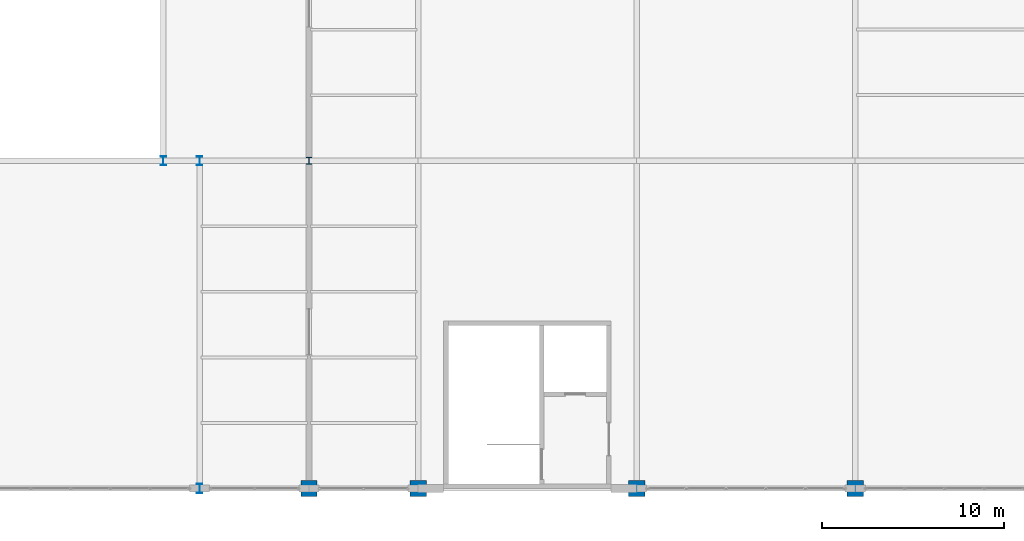
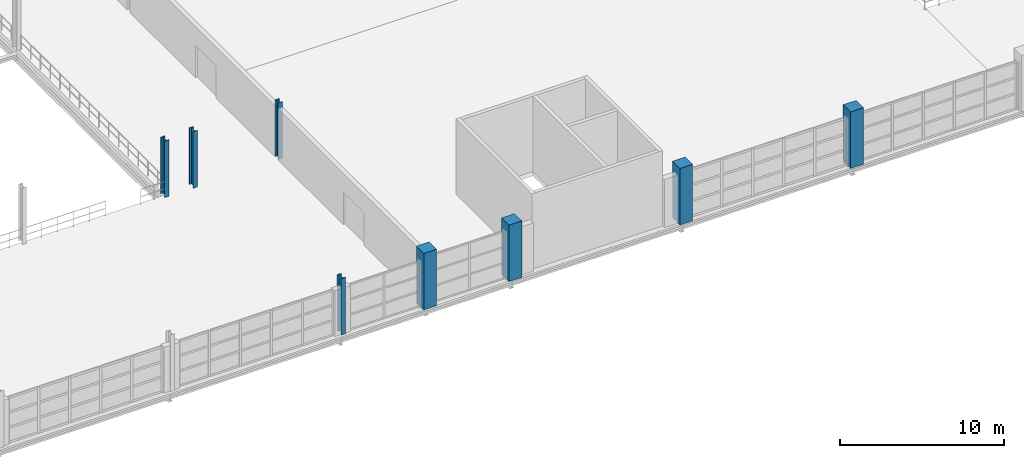
# One storey, part 4 of 158: 8 columns.
"""IFC4 building model written with IfcOpenShell, lengths in metres."""

from ifc_helpers import new_model, si_unit, direction, frame, origin, origin_2d, place, context, subcontext, project, spatial, rectangle, i_section, extrude, material, material_profile, profile_set, type_object, element, save


model = new_model("IFC4")

# Units and contexts
model_context = context("Model", 3, precision=1e-05, world=origin(), true_north=direction((0.0, 1.0)))
body_context = subcontext(model_context, "Body", "Model", "MODEL_VIEW")
ifc_project = project(units=[si_unit("LENGTHUNIT", "METRE"), si_unit("AREAUNIT", "SQUARE_METRE"), si_unit("VOLUMEUNIT", "CUBIC_METRE"), si_unit("PLANEANGLEUNIT", "RADIAN"), si_unit("MASSUNIT", "GRAM", prefix="KILO")], contexts=[model_context])

# Site, building, storey
site_placement = place(None, origin())
site = spatial("IfcSite", under=ifc_project, at=site_placement, CompositionType="ELEMENT")
building_placement = place(site_placement, origin())
building = spatial("IfcBuilding", under=site, at=building_placement, Name="Zilviju Railside Exhibition Hall", CompositionType="ELEMENT")
storey_placement = place(building_placement, frame((0.0, 0.0, 4.199951171875)))
storey = spatial("IfcBuildingStorey", under=building, at=storey_placement, Name="L02", CompositionType="ELEMENT", Elevation=4.199951171875)

# Columns
ifc_material_1 = material(Name="Concrete C40/50", Category="concrete")
ifc_material_profile_1 = material_profile(ifc_material_1, rectangle(XDim=0.89990234375, YDim=0.89990234375, at=origin_2d()), Name="RC COL 900x900")
ifc_profile_set_1 = profile_set([ifc_material_profile_1], Name="Concrete C40/50")
column_type_1 = type_object("IfcColumnType", Name="COL-RC-900", PredefinedType="COLUMN", material=ifc_profile_set_1)
for number, where, z_axis, x_axis, name in (
    (1, (78.0, 0.0, 0.0), (0.0, 0.0, 1.0), (1.0, 0.0, 0.0), "Structural Column L02 (78.0, 0.0)"),
    (2, (84.0, 0.0, 0.0), (0.0, 0.0, 1.0), (1.0, 0.0, 0.0), "Structural Column L02 (84.0, 0.0)"),
    (3, (96.0, 0.0, 0.0), (0.0, 0.0, 1.0), (1.0, 0.0, 0.0), "Structural Column L02 (96.0, 0.0)"),
    (4, (108.0, 0.0, 0.0), (0.0, 0.0, 1.0), (1.0, 0.0, 0.0), "Structural Column L02 (108.0, 0.0)"),
):
    element("IfcColumn", number, at=place(storey_placement, frame(where, z_axis=z_axis, x_axis=x_axis)), inside=storey, type_object=column_type_1, Name=name, PredefinedType="COLUMN", context=body_context, shape_type="SweptSolid", body=[
        extrude(rectangle(XDim=0.89990234375, YDim=0.89990234375, at=origin_2d()), origin(), (0.0, 0.0, 1.0), 4.199951171875),
    ])
ifc_material_2 = material(Name="Steel S355J2", Category="steel")
ifc_material_profile_2 = material_profile(ifc_material_2, i_section(OverallWidth=0.300048828125, OverallDepth=0.39990234375, WebThickness=0.013427734375, FlangeThickness=0.02392578125, at=origin_2d()), Name="HEB 400")
ifc_profile_set_2 = profile_set([ifc_material_profile_2], Name="Steel S355J2")
column_type_2 = type_object("IfcColumnType", Name="COL-ST-HEB400", PredefinedType="COLUMN", material=ifc_profile_set_2)
column_placement = place(storey_placement, frame((78.0, 18.0, 0.0), z_axis=(0.0, 0.0, 1.0), x_axis=(1.0, 0.0, 0.0)))
element("IfcColumn", 5, at=column_placement, inside=storey, type_object=column_type_2, Name="Structural Column L02 (78.0, 18.0)", PredefinedType="COLUMN", context=body_context, shape_type="SweptSolid", body=[
    extrude(i_section(OverallWidth=0.300048828125, OverallDepth=0.39990234375, WebThickness=0.013427734375, FlangeThickness=0.02392578125, at=origin_2d()), origin(), (0.0, 0.0, 1.0), 4.199951171875),
])
ifc_material_profile_3 = material_profile(ifc_material_2, i_section(OverallWidth=0.300048828125, OverallDepth=0.5, WebThickness=0.014404296875, FlangeThickness=0.028076171875, at=origin_2d()), Name="HEB 500")
ifc_profile_set_3 = profile_set([ifc_material_profile_3], Name="Steel S355J2")
column_type_3 = type_object("IfcColumnType", Name="COL-ST-HEB500", PredefinedType="COLUMN", material=ifc_profile_set_3)
for number, where, z_axis, x_axis, name in (
    (6, (72.0, 0.0, 0.0), (0.0, 0.0, 1.0), (1.0, 0.0, 0.0), "Structural Column L02 (72.0, 0.0)"),
    (7, (70.0, 18.0, 0.0), (0.0, 0.0, 1.0), (1.0, 0.0, 0.0), "Structural Column L02 (70.0, 18.0)"),
    (8, (72.0, 18.0, 0.0), (0.0, 0.0, 1.0), (1.0, 0.0, 0.0), "Structural Column L02 (72.0, 18.0)"),
):
    element("IfcColumn", number, at=place(storey_placement, frame(where, z_axis=z_axis, x_axis=x_axis)), inside=storey, type_object=column_type_3, Name=name, PredefinedType="COLUMN", context=body_context, shape_type="SweptSolid", body=[
        extrude(i_section(OverallWidth=0.300048828125, OverallDepth=0.5, WebThickness=0.014404296875, FlangeThickness=0.028076171875, at=origin_2d()), origin(), (0.0, 0.0, 1.0), 4.199951171875),
    ])

save(model, "model.ifc")
